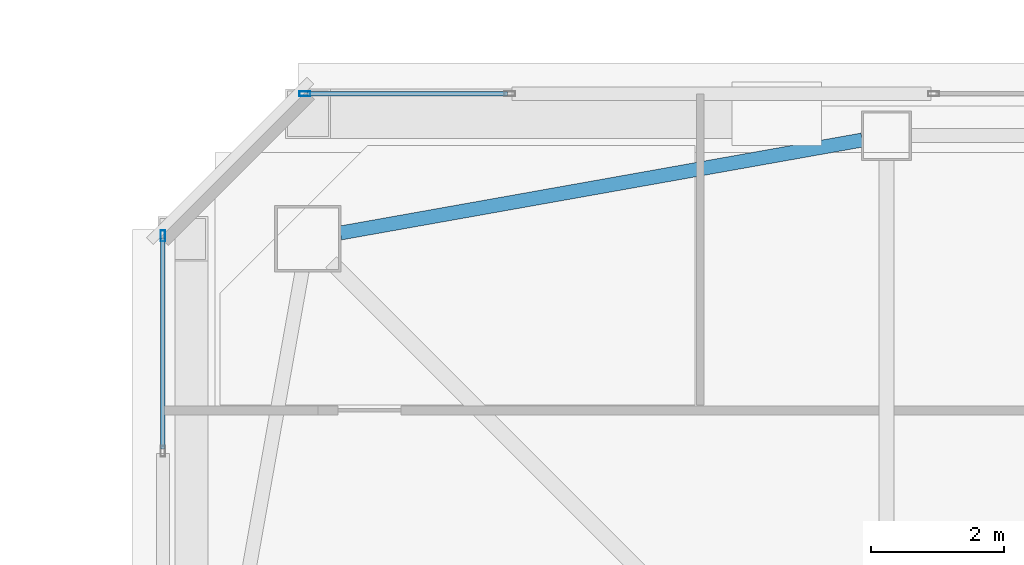
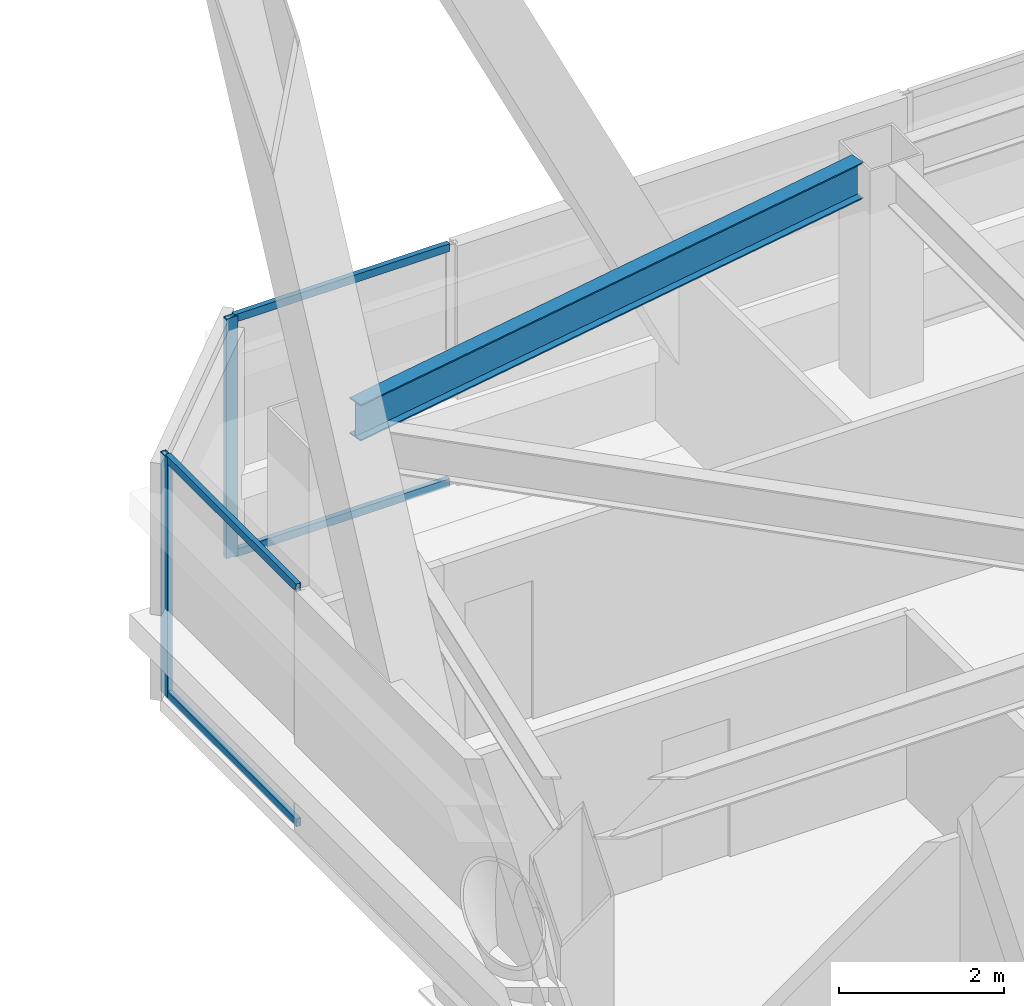
# One storey, part 19 of 56: 6 members, 1 beam, 2 elements without a shape of their own.
"""IFC4 building model written with IfcOpenShell, lengths in metres."""

from ifc_helpers import new_model, si_unit, direction, frame, origin, origin_2d, place, context, subcontext, project, spatial, hollow_rectangle, i_section, extrude, material, material_profile, profile_set, type_object, element, aggregate, save


model = new_model("IFC4")

# Units and contexts
model_context = context("Model", 3, precision=1e-05, world=origin(), true_north=direction((0.0, 1.0)))
body_context = subcontext(model_context, "Body", "Model", "MODEL_VIEW")
ifc_project = project(units=[si_unit("LENGTHUNIT", "METRE"), si_unit("AREAUNIT", "SQUARE_METRE"), si_unit("VOLUMEUNIT", "CUBIC_METRE"), si_unit("PLANEANGLEUNIT", "RADIAN"), si_unit("MASSUNIT", "GRAM", prefix="KILO")], contexts=[model_context])

# Site, building, storey
site_placement = place(None, origin())
site = spatial("IfcSite", under=ifc_project, at=site_placement, CompositionType="ELEMENT")
building_placement = place(site_placement, origin())
building = spatial("IfcBuilding", under=site, at=building_placement, Name="Tashvorn Skyway Center", CompositionType="ELEMENT")
storey_placement = place(building_placement, frame((0.0, 0.0, 218.39990234375)))
storey = spatial("IfcBuildingStorey", under=building, at=storey_placement, Name="L59", CompositionType="ELEMENT", Elevation=218.39990234375)

# Beam
ifc_material_1 = material(Name="Steel ASTM A992 Grade 50", Category="steel")
ifc_material_profile_1 = material_profile(ifc_material_1, i_section(OverallWidth=0.2109375, OverallDepth=0.5390625, WebThickness=0.01171875, FlangeThickness=0.018798828125, at=origin_2d()), Name="W21X73")
ifc_profile_set_1 = profile_set([ifc_material_profile_1], Name="Steel ASTM A992 Grade 50")
beam_type = type_object("IfcBeamType", Name="BM-SPANDREL-W21X73", PredefinedType="SPANDREL", material=ifc_profile_set_1)
beam_placement = place(storey_placement, frame((36.23583984375, 47.585205078125, 3.1005859375), z_axis=(-0.984494883191, -0.17541329759, 0.0), x_axis=(0.17541329759, -0.984494883191, 0.0)))
element("IfcBeam", 1, at=beam_placement, inside=storey, type_object=beam_type, Name="Tower 1 L59 Spandrel Beam 09", PredefinedType="SPANDREL", context=body_context, shape_type="SweptSolid", body=[
    extrude(i_section(OverallWidth=0.2109375, OverallDepth=0.5390625, WebThickness=0.01171875, FlangeThickness=0.018798828125, at=origin_2d()), origin(), (0.0, 0.0, 1.0), 7.97216796875),
])

# Curtain wall, member
ifc_material_2 = material(Name="Thermally broken bronze-anodized aluminium 6063-T6", Category="aluminium")
curtain_wall_type = type_object("IfcCurtainWallType", Name="CW-CW-Z5", PredefinedType="NOTDEFINED", material=ifc_material_2)
curtain_wall_1_placement = place(storey_placement, origin())
curtain_wall_1 = element("IfcCurtainWall", 2, at=curtain_wall_1_placement, inside=storey, type_object=curtain_wall_type, Name="Tower 1 L59 West Curtain Wall R Glazing Group 1", PredefinedType="NOTDEFINED")
ifc_material_profile_2 = material_profile(ifc_material_2, hollow_rectangle(XDim=0.070068359375, YDim=0.1650390625, WallThickness=0.00390625, at=origin_2d()), Name="ALU-MULL-70x165")
ifc_profile_set_2 = profile_set([ifc_material_profile_2], Name="Thermally broken bronze-anodized aluminium 6063-T6")
member_type_1 = type_object("IfcMemberType", Name="CWM-CW-Z5", PredefinedType="MULLION", material=ifc_profile_set_2)
member_1_placement = place(storey_placement, frame((25.719970703125, 46.14501953125, 0.0), z_axis=(0.0, 0.0, 1.0), x_axis=(-1.0, 0.0, 0.0)))
member_1 = element("IfcMember", 3, at=member_1_placement, type_object=member_type_1, Name="CW-Z5 mullion 2", PredefinedType="MULLION", context=body_context, shape_type="SweptSolid", body=[
    extrude(hollow_rectangle(XDim=0.070068359375, YDim=0.1650390625, WallThickness=0.00390625, at=origin_2d()), origin(), (0.0, 0.0, 1.0), 3.550048828125),
])

curtain_wall_2_placement = place(storey_placement, origin())
curtain_wall_2 = element("IfcCurtainWall", 4, at=curtain_wall_2_placement, inside=storey, type_object=curtain_wall_type, Name="Tower 1 L59 North Unitised Curtain Wall Glazing Group 1", PredefinedType="NOTDEFINED")
member_2_placement = place(storey_placement, frame((27.85498046875, 48.280029296875, 0.0), z_axis=(0.0, 0.0, 1.0), x_axis=(0.0, 1.0, 0.0)))
member_2 = element("IfcMember", 5, at=member_2_placement, type_object=member_type_1, Name="CW-Z5 mullion 1", PredefinedType="MULLION", context=body_context, shape_type="SweptSolid", body=[
    extrude(hollow_rectangle(XDim=0.070068359375, YDim=0.1650390625, WallThickness=0.00390625, at=origin_2d()), origin(), (0.0, 0.0, 1.0), 3.550048828125),
])

# Member
ifc_material_profile_3 = material_profile(ifc_material_2, hollow_rectangle(XDim=0.070068359375, YDim=0.114990234375, WallThickness=0.00390625, at=origin_2d()), Name="ALU-TRAN-70x115")
ifc_profile_set_3 = profile_set([ifc_material_profile_3], Name="Thermally broken bronze-anodized aluminium 6063-T6")
member_type_2 = type_object("IfcMemberType", Name="CWT-CW-Z5", PredefinedType="USERDEFINED", material=ifc_profile_set_3)
member_3_placement = place(storey_placement, frame((25.719970703125, 42.93994140625, 0.03515625), z_axis=(0.0, 1.0, 0.0), x_axis=(-1.0, 0.0, 0.0)))
member_3 = element("IfcMember", 6, at=member_3_placement, type_object=member_type_2, Name="CW-Z5 transom 1.1", ObjectType="TRANSOM", PredefinedType="USERDEFINED", context=body_context, shape_type="SweptSolid", body=[
    extrude(hollow_rectangle(XDim=0.070068359375, YDim=0.114990234375, WallThickness=0.00390625, at=origin_2d()), origin(), (0.0, 0.0, 1.0), 3.170166015625),
])

member_4_placement = place(storey_placement, frame((25.719970703125, 42.93994140625, 3.51513671875), z_axis=(0.0, 1.0, 0.0), x_axis=(-1.0, 0.0, 0.0)))
member_4 = element("IfcMember", 7, at=member_4_placement, type_object=member_type_2, Name="CW-Z5 transom 1.2", ObjectType="TRANSOM", PredefinedType="USERDEFINED", context=body_context, shape_type="SweptSolid", body=[
    extrude(hollow_rectangle(XDim=0.070068359375, YDim=0.114990234375, WallThickness=0.00390625, at=origin_2d()), origin(), (0.0, 0.0, 1.0), 3.170166015625),
])

aggregate(curtain_wall_1, [member_1, member_3, member_4])

member_5_placement = place(storey_placement, frame((27.889892578125, 48.280029296875, 0.03515625), z_axis=(1.0, 0.0, 0.0), x_axis=(0.0, 1.0, 0.0)))
member_5 = element("IfcMember", 8, at=member_5_placement, type_object=member_type_2, Name="CW-Z5 transom 1.1", ObjectType="TRANSOM", PredefinedType="USERDEFINED", context=body_context, shape_type="SweptSolid", body=[
    extrude(hollow_rectangle(XDim=0.070068359375, YDim=0.114990234375, WallThickness=0.00390625, at=origin_2d()), origin(), (0.0, 0.0, 1.0), 3.01123046875),
])

member_6_placement = place(storey_placement, frame((27.889892578125, 48.280029296875, 3.51513671875), z_axis=(1.0, 0.0, 0.0), x_axis=(0.0, 1.0, 0.0)))
member_6 = element("IfcMember", 9, at=member_6_placement, type_object=member_type_2, Name="CW-Z5 transom 1.2", ObjectType="TRANSOM", PredefinedType="USERDEFINED", context=body_context, shape_type="SweptSolid", body=[
    extrude(hollow_rectangle(XDim=0.070068359375, YDim=0.114990234375, WallThickness=0.00390625, at=origin_2d()), origin(), (0.0, 0.0, 1.0), 3.01123046875),
])

aggregate(curtain_wall_2, [member_2, member_5, member_6])

save(model, "model.ifc")
